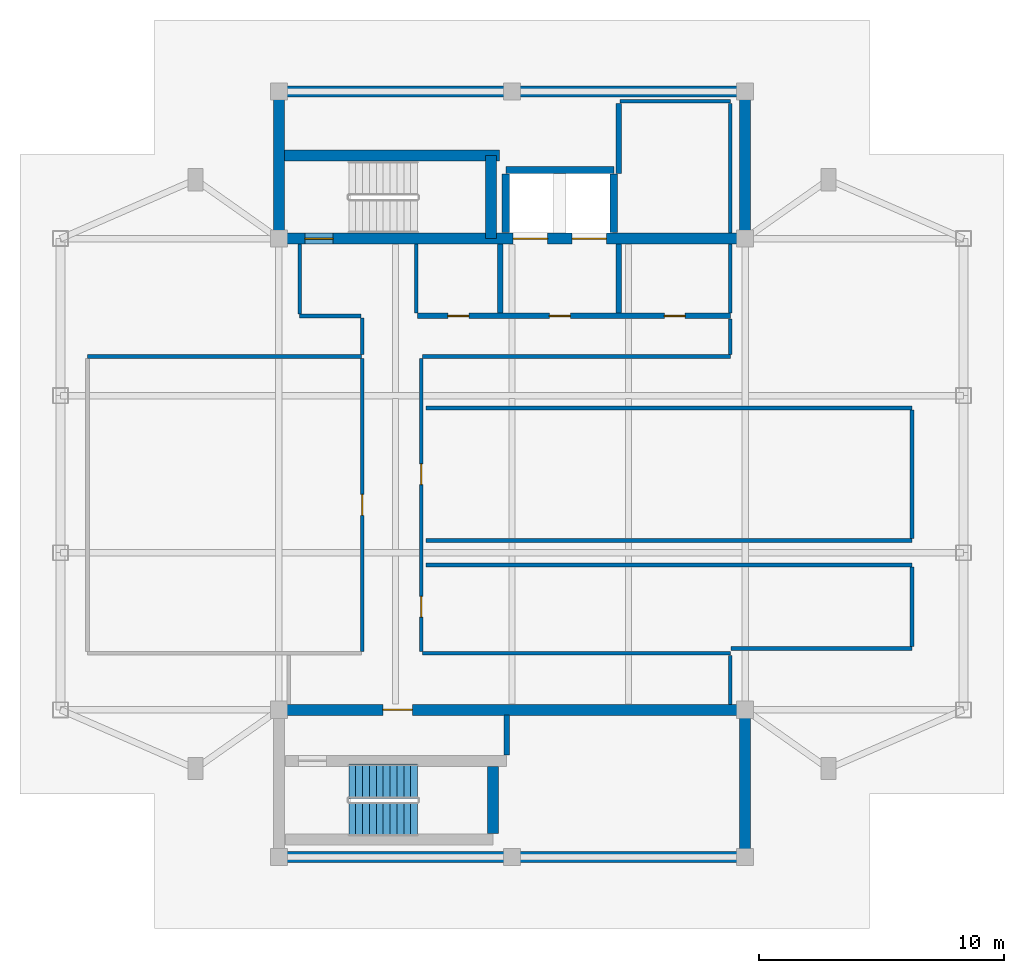
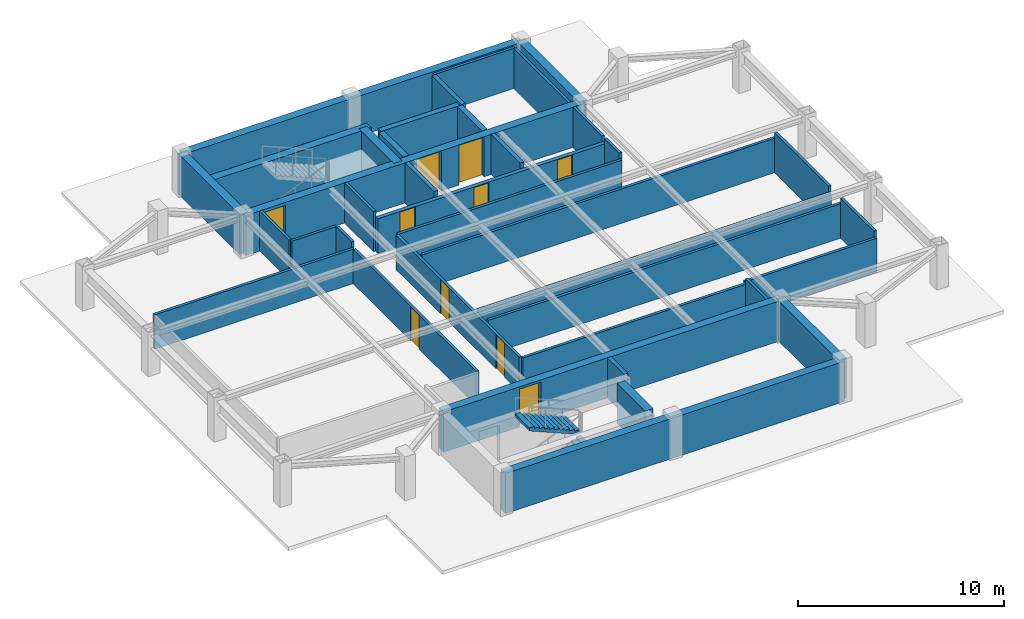
# One storey, part 2 of 4: 38 walls, 10 doors, 2 stair flights, 10 openings, 1 element without a shape of its own.
"""IFC4 building model written with IfcOpenShell, lengths in metres."""

from ifc_helpers import new_model, si_unit, direction, frame, frame_2d, origin, place, context, subcontext, project, spatial, polyline, rectangle, outline, extrude, material, layer, layer_set, type_object, element, fill, aggregate, save


model = new_model("IFC4")

# Units and contexts
model_context = context("Model", 3, precision=1e-05, world=origin(), true_north=direction((0.0, 1.0)))
body_context = subcontext(model_context, "Body", "Model", "MODEL_VIEW")
ifc_project = project(units=[si_unit("LENGTHUNIT", "METRE"), si_unit("AREAUNIT", "SQUARE_METRE"), si_unit("VOLUMEUNIT", "CUBIC_METRE"), si_unit("PLANEANGLEUNIT", "RADIAN"), si_unit("MASSUNIT", "GRAM", prefix="KILO")], contexts=[model_context])

# Site, building, storey
site_placement = place(None, origin())
site = spatial("IfcSite", under=ifc_project, at=site_placement, CompositionType="ELEMENT")
building_placement = place(site_placement, origin())
building = spatial("IfcBuilding", under=site, at=building_placement, Name="Mirazonda Arch Towers", CompositionType="ELEMENT")
storey_placement = place(building_placement, frame((0.0, 0.0, 268.699951171875)))
storey = spatial("IfcBuildingStorey", under=building, at=storey_placement, Name="L77", CompositionType="ELEMENT", Elevation=268.699951171875)

# Walls
ifc_material_1 = material(Name="Concrete C50/60", Category="concrete")
ifc_layer_1 = layer(ifc_material_1, 0.449951171875, Name="WALL-CORE-450")
ifc_layer_set_1 = layer_set([ifc_layer_1], Name="Concrete C50/60")
wall_type_1 = type_object("IfcWallType", Name="WALL-CORE-450", PredefinedType="SHEAR", material=ifc_layer_set_1)
wall_1_placement = place(storey_placement, frame((11.0, 43.60009765625, 0.0), z_axis=(0.0, 0.0, 1.0), x_axis=(1.0, 0.0, 0.0)))
element("IfcWall", 1, at=wall_1_placement, inside=storey, type_object=wall_type_1, Name="L77 T1N-N Core Shear Wall", PredefinedType="SHEAR", context=body_context, shape_type="SweptSolid", body=[
    extrude(rectangle(XDim=19.0, YDim=0.449951171875, at=frame_2d((9.5, 0.0))), origin(), (0.0, 0.0, 1.0), 2.380126953125),
])
for number, where, z_axis, x_axis, name in (
    (2, (11.0, 37.60009765625, 0.0), (0.0, 0.0, 1.0), (0.0, 1.0, 0.0), "L77 T1N-W Core Shear Wall"),
    (3, (30.0, 37.60009765625, 0.0), (0.0, 0.0, 1.0), (0.0, 1.0, 0.0), "L77 T1N-E Core Shear Wall"),
):
    element("IfcWall", number, at=place(storey_placement, frame(where, z_axis=z_axis, x_axis=x_axis)), inside=storey, type_object=wall_type_1, Name=name, PredefinedType="SHEAR", context=body_context, shape_type="SweptSolid", body=[
        extrude(rectangle(XDim=6.0, YDim=0.449951171875, at=frame_2d((3.0, 0.0))), origin(), (0.0, 0.0, 1.0), 2.380126953125),
    ])

# Wall, openings, doors
wall_2_placement = place(storey_placement, frame((11.0, 37.60009765625, 0.0), z_axis=(0.0, 0.0, 1.0), x_axis=(1.0, 0.0, 0.0)))
wall_2 = element("IfcWall", 4, at=wall_2_placement, inside=storey, type_object=wall_type_1, Name="L77 T1N-S Core Shear Wall", PredefinedType="SHEAR", context=body_context, shape_type="SweptSolid", body=[
    extrude(rectangle(XDim=19.0, YDim=0.449951171875, at=frame_2d((9.5, 0.0))), origin(), (0.0, 0.0, 1.0), 2.380126953125),
])
opening_1_placement = place(wall_2_placement, frame((1.06005859375, 0.0, 0.0)))
opening_1 = element("IfcOpeningElement", 5, at=opening_1_placement, cuts=wall_2, Name="Opening DR-135", PredefinedType="OPENING", context=body_context, shape_type="SweptSolid", body=[
    extrude(rectangle(XDim=1.14990234375, YDim=2.199951171875, at=frame_2d((0.574951171875, 1.10009765625))), frame((0.0, 0.23486328125, 0.0), z_axis=(0.0, -1.0, 0.0), x_axis=(1.0, 0.0, 0.0)), (0.0, 0.0, 1.0), 0.469970703125),
])
opening_2_placement = place(wall_2_placement, frame((9.550048828125, 0.0, 0.0)))
opening_2 = element("IfcOpeningElement", 6, at=opening_2_placement, cuts=wall_2, Name="Opening LD-112", PredefinedType="OPENING", context=body_context, shape_type="SweptSolid", body=[
    extrude(rectangle(XDim=1.39990234375, YDim=2.35009765625, at=frame_2d((0.699951171875, 1.175048828125))), frame((0.0, 0.23486328125, 0.0), z_axis=(0.0, -1.0, 0.0), x_axis=(1.0, 0.0, 0.0)), (0.0, 0.0, 1.0), 0.469970703125),
])
opening_3_placement = place(wall_2_placement, frame((11.949951171875, 0.0, 0.0)))
opening_3 = element("IfcOpeningElement", 7, at=opening_3_placement, cuts=wall_2, Name="Opening LD-112", PredefinedType="OPENING", context=body_context, shape_type="SweptSolid", body=[
    extrude(rectangle(XDim=1.39990234375, YDim=2.35009765625, at=frame_2d((0.699951171875, 1.175048828125))), frame((0.0, 0.23486328125, 0.0), z_axis=(0.0, -1.0, 0.0), x_axis=(1.0, 0.0, 0.0)), (0.0, 0.0, 1.0), 0.469970703125),
])
ifc_material_2 = material(Name="Architectural Brushed Steel S355", Category="steel")
door_type_1 = type_object("IfcDoorType", Name="DOOR-LIFT-FFL-1400", OperationType="NOTDEFINED", PredefinedType="DOOR", material=ifc_material_2)
door_1_placement = place(opening_2_placement, origin())
door_1 = element("IfcDoor", 8, at=door_1_placement, inside=storey, type_object=door_type_1, Name="L77 Lift Landing Sliding Door FFL-T1", OperationType="DOUBLE_DOOR_SLIDING", OverallHeight=2.35009765625, OverallWidth=1.39990234375, PredefinedType="DOOR", context=body_context, shape_type="SweptSolid", body=[
    extrude(rectangle(XDim=1.39990234375, YDim=2.35009765625, at=frame_2d((0.699951171875, 1.175048828125))), frame((0.0, 0.02490234375, 0.0), z_axis=(0.0, -1.0, 0.0), x_axis=(1.0, 0.0, 0.0)), (0.0, 0.0, 1.0), 0.050048828125),
])
fill(opening_2, door_1)
door_2_placement = place(opening_3_placement, origin())
door_2 = element("IfcDoor", 9, at=door_2_placement, inside=storey, type_object=door_type_1, Name="L77 Lift Landing Sliding Door SVL-T1", OperationType="DOUBLE_DOOR_SLIDING", OverallHeight=2.35009765625, OverallWidth=1.39990234375, PredefinedType="DOOR", context=body_context, shape_type="SweptSolid", body=[
    extrude(rectangle(XDim=1.39990234375, YDim=2.35009765625, at=frame_2d((0.699951171875, 1.175048828125))), frame((0.0, 0.02490234375, 0.0), z_axis=(0.0, -1.0, 0.0), x_axis=(1.0, 0.0, 0.0)), (0.0, 0.0, 1.0), 0.050048828125),
])
fill(opening_3, door_2)
door_type_2 = type_object("IfcDoorType", Name="DOOR-STAIR-FD90-1150", OperationType="NOTDEFINED", PredefinedType="DOOR", material=ifc_material_2)
door_3_placement = place(opening_1_placement, origin())
door_3 = element("IfcDoor", 10, at=door_3_placement, inside=storey, type_object=door_type_2, Name="L77 Protected Exit Stair North Door", OperationType="SINGLE_SWING_RIGHT", OverallHeight=2.199951171875, OverallWidth=1.14990234375, PredefinedType="DOOR", context=body_context, shape_type="SweptSolid", body=[
    extrude(rectangle(XDim=1.14990234375, YDim=2.199951171875, at=frame_2d((0.574951171875, 1.10009765625))), frame((0.0, 0.02490234375, 0.0), z_axis=(0.0, -1.0, 0.0), x_axis=(1.0, 0.0, 0.0)), (0.0, 0.0, 1.0), 0.050048828125),
])
fill(opening_1, door_3)

# Walls
wall_3_placement = place(storey_placement, frame((11.0, 40.992919921875, 0.0), z_axis=(0.0, 0.0, 1.0), x_axis=(1.0, 0.0, 0.0)))
element("IfcWall", 11, at=wall_3_placement, inside=storey, type_object=wall_type_1, Name="L77 T1N-STN Core Shear Wall", PredefinedType="SHEAR", context=body_context, shape_type="SweptSolid", body=[
    extrude(rectangle(XDim=9.0, YDim=0.449951171875, at=frame_2d((4.5, 0.0))), origin(), (0.0, 0.0, 1.0), 2.380126953125),
])
wall_4_placement = place(storey_placement, frame((19.64990234375, 37.60009765625, 0.0), z_axis=(0.0, 0.0, 1.0), x_axis=(0.0, 1.0, 0.0)))
element("IfcWall", 12, at=wall_4_placement, inside=storey, type_object=wall_type_1, Name="L77 T1N-STE Core Shear Wall", PredefinedType="SHEAR", context=body_context, shape_type="SweptSolid", body=[
    extrude(rectangle(XDim=3.392822265625, YDim=0.449951171875, at=frame_2d((1.6962890625, 0.0))), origin(), (0.0, 0.0, 1.0), 2.380126953125),
])
wall_5_placement = place(storey_placement, frame((11.0, 12.39990234375, 0.0), z_axis=(0.0, 0.0, 1.0), x_axis=(1.0, 0.0, 0.0)))
element("IfcWall", 13, at=wall_5_placement, inside=storey, type_object=wall_type_1, Name="L77 T1S-S Core Shear Wall", PredefinedType="SHEAR", context=body_context, shape_type="SweptSolid", body=[
    extrude(rectangle(XDim=19.0, YDim=0.449951171875, at=frame_2d((9.5, 0.0))), origin(), (0.0, 0.0, 1.0), 2.380126953125),
])
wall_6_placement = place(storey_placement, frame((30.0, 12.39990234375, 0.0), z_axis=(0.0, 0.0, 1.0), x_axis=(0.0, 1.0, 0.0)))
element("IfcWall", 14, at=wall_6_placement, inside=storey, type_object=wall_type_1, Name="L77 T1S-E Core Shear Wall", PredefinedType="SHEAR", context=body_context, shape_type="SweptSolid", body=[
    extrude(rectangle(XDim=6.0, YDim=0.449951171875, at=frame_2d((3.0, 0.0))), origin(), (0.0, 0.0, 1.0), 2.380126953125),
])

# Wall, opening, door
wall_7_placement = place(storey_placement, frame((11.0, 18.39990234375, 0.0), z_axis=(0.0, 0.0, 1.0), x_axis=(1.0, 0.0, 0.0)))
wall_7 = element("IfcWall", 15, at=wall_7_placement, inside=storey, type_object=wall_type_1, Name="L77 T1S-N Core Shear Wall", PredefinedType="SHEAR", context=body_context, shape_type="SweptSolid", body=[
    extrude(rectangle(XDim=19.0, YDim=0.449951171875, at=frame_2d((9.5, 0.0))), origin(), (0.0, 0.0, 1.0), 2.380126953125),
])
opening_4_placement = place(wall_7_placement, frame((4.239990234375, 0.0, 0.0)))
opening_4 = element("IfcOpeningElement", 16, at=opening_4_placement, cuts=wall_7, Name="Opening DR-117", PredefinedType="OPENING", context=body_context, shape_type="SweptSolid", body=[
    extrude(rectangle(XDim=1.199951171875, YDim=2.25, at=frame_2d((0.60009765625, 1.125))), frame((0.0, 0.23486328125, 0.0), z_axis=(0.0, -1.0, 0.0), x_axis=(1.0, 0.0, 0.0)), (0.0, 0.0, 1.0), 0.469970703125),
])
door_type_3 = type_object("IfcDoorType", Name="DOOR-FFL-FD90-1200", OperationType="NOTDEFINED", PredefinedType="DOOR", material=ifc_material_2)
door_4_placement = place(opening_4_placement, origin())
door_4 = element("IfcDoor", 17, at=door_4_placement, inside=storey, type_object=door_type_3, Name="L77 South Core Stair & Lift Lobby Door", OperationType="SINGLE_SWING_RIGHT", OverallHeight=2.25, OverallWidth=1.199951171875, PredefinedType="DOOR", context=body_context, shape_type="SweptSolid", body=[
    extrude(rectangle(XDim=1.199951171875, YDim=2.25, at=frame_2d((0.60009765625, 1.125))), frame((0.0, 0.02490234375, 0.0), z_axis=(0.0, -1.0, 0.0), x_axis=(1.0, 0.0, 0.0)), (0.0, 0.0, 1.0), 0.050048828125),
])
fill(opening_4, door_4)

# Wall
wall_8_placement = place(storey_placement, frame((19.72998046875, 13.35498046875, 0.0), z_axis=(0.0, 0.0, 1.0), x_axis=(0.0, 1.0, 0.0)))
element("IfcWall", 18, at=wall_8_placement, inside=storey, type_object=wall_type_1, Name="L77 Stair Core Shear Wall 022", PredefinedType="SHEAR", context=body_context, shape_type="SweptSolid", body=[
    extrude(rectangle(XDim=2.72998046875, YDim=0.449951171875, at=frame_2d((1.364990234375, 0.0))), origin(), (0.0, 0.0, 1.0), 2.380126953125),
])

# Wall, openings, doors
ifc_material_3 = material(Name="Concrete C40/50", Category="concrete")
ifc_layer_2 = layer(ifc_material_3, 0.219970703125, Name="WALL-FFL-220")
ifc_layer_set_2 = layer_set([ifc_layer_2], Name="Concrete C40/50")
wall_type_2 = type_object("IfcWallType", Name="WALL-FFL-220", PredefinedType="SOLIDWALL", material=ifc_layer_set_2)
wall_9_placement = place(storey_placement, frame((16.639892578125, 34.449951171875, 0.0), z_axis=(0.0, 0.0, 1.0), x_axis=(1.0, 0.0, 0.0)))
wall_9 = element("IfcWall", 19, at=wall_9_placement, inside=storey, type_object=wall_type_2, Name="L77 Interior Partition 012", PredefinedType="SOLIDWALL", context=body_context, shape_type="SweptSolid", body=[
    extrude(rectangle(XDim=12.760009765625, YDim=0.219970703125, at=frame_2d((6.3798828125, 0.0))), origin(), (0.0, 0.0, 1.0), 2.0419921875),
])
opening_5_placement = place(wall_9_placement, frame((5.385009765625, 0.0, 0.0)))
opening_5 = element("IfcOpeningElement", 20, at=opening_5_placement, cuts=wall_9, Name="Opening DR-128", PredefinedType="OPENING", context=body_context, shape_type="SweptSolid", body=[
    extrude(rectangle(XDim=0.85009765625, YDim=2.010009765625, at=frame_2d((0.425048828125, 1.0048828125))), frame((0.0, 0.119873046875, 0.0), z_axis=(0.0, -1.0, 0.0), x_axis=(1.0, 0.0, 0.0)), (0.0, 0.0, 1.0), 0.239990234375),
])
opening_6_placement = place(wall_9_placement, frame((10.06494140625, 0.0, 0.0)))
opening_6 = element("IfcOpeningElement", 21, at=opening_6_placement, cuts=wall_9, Name="Opening DR-128", PredefinedType="OPENING", context=body_context, shape_type="SweptSolid", body=[
    extrude(rectangle(XDim=0.85009765625, YDim=2.010009765625, at=frame_2d((0.425048828125, 1.0048828125))), frame((0.0, 0.119873046875, 0.0), z_axis=(0.0, -1.0, 0.0), x_axis=(1.0, 0.0, 0.0)), (0.0, 0.0, 1.0), 0.239990234375),
])
opening_7_placement = place(wall_9_placement, frame((1.25, 0.0, 0.0)))
opening_7 = element("IfcOpeningElement", 22, at=opening_7_placement, cuts=wall_9, Name="Opening DR-128", PredefinedType="OPENING", context=body_context, shape_type="SweptSolid", body=[
    extrude(rectangle(XDim=0.85009765625, YDim=2.010009765625, at=frame_2d((0.425048828125, 1.0048828125))), frame((0.0, 0.119873046875, 0.0), z_axis=(0.0, -1.0, 0.0), x_axis=(1.0, 0.0, 0.0)), (0.0, 0.0, 1.0), 0.239990234375),
])
door_type_4 = type_object("IfcDoorType", Name="DOOR-RISER-FD60-850", OperationType="NOTDEFINED", PredefinedType="DOOR", material=ifc_material_2)
door_5_placement = place(opening_5_placement, origin())
door_5 = element("IfcDoor", 23, at=door_5_placement, inside=storey, type_object=door_type_4, Name="L77 Firefighting Lift Lobby Door", OperationType="SINGLE_SWING_LEFT", OverallHeight=2.010009765625, OverallWidth=0.85009765625, PredefinedType="DOOR", context=body_context, shape_type="SweptSolid", body=[
    extrude(rectangle(XDim=0.85009765625, YDim=2.010009765625, at=frame_2d((0.425048828125, 1.0048828125))), frame((0.0, 0.02490234375, 0.0), z_axis=(0.0, -1.0, 0.0), x_axis=(1.0, 0.0, 0.0)), (0.0, 0.0, 1.0), 0.050048828125),
])
fill(opening_5, door_5)
door_6_placement = place(opening_6_placement, origin())
door_6 = element("IfcDoor", 24, at=door_6_placement, inside=storey, type_object=door_type_4, Name="L77 Mechanical Exhaust & Riser Plant Room Door", OperationType="SINGLE_SWING_RIGHT", OverallHeight=2.010009765625, OverallWidth=0.85009765625, PredefinedType="DOOR", context=body_context, shape_type="SweptSolid", body=[
    extrude(rectangle(XDim=0.85009765625, YDim=2.010009765625, at=frame_2d((0.425048828125, 1.0048828125))), frame((0.0, 0.02490234375, 0.0), z_axis=(0.0, -1.0, 0.0), x_axis=(1.0, 0.0, 0.0)), (0.0, 0.0, 1.0), 0.050048828125),
])
fill(opening_6, door_6)
door_7_placement = place(opening_7_placement, origin())
door_7 = element("IfcDoor", 25, at=door_7_placement, inside=storey, type_object=door_type_4, Name="L77 Electrical & Housekeeping Service Room Door", OperationType="SINGLE_SWING_LEFT", OverallHeight=2.010009765625, OverallWidth=0.85009765625, PredefinedType="DOOR", context=body_context, shape_type="SweptSolid", body=[
    extrude(rectangle(XDim=0.85009765625, YDim=2.010009765625, at=frame_2d((0.425048828125, 1.0048828125))), frame((0.0, 0.02490234375, 0.0), z_axis=(0.0, -1.0, 0.0), x_axis=(1.0, 0.0, 0.0)), (0.0, 0.0, 1.0), 0.050048828125),
])
fill(opening_7, door_7)

# Walls
wall_10_placement = place(storey_placement, frame((20.02490234375, 34.570068359375, 0.0), z_axis=(0.0, 0.0, 1.0), x_axis=(0.0, 1.0, 0.0)))
element("IfcWall", 26, at=wall_10_placement, inside=storey, type_object=wall_type_2, Name="L77 Interior Partition 023", PredefinedType="SOLIDWALL", context=body_context, shape_type="SweptSolid", body=[
    extrude(rectangle(XDim=2.809814453125, YDim=0.219970703125, at=frame_2d((1.40478515625, 0.0))), origin(), (0.0, 0.0, 1.0), 2.380126953125),
])
wall_11_placement = place(storey_placement, frame((20.280029296875, 16.554931640625, 0.0), z_axis=(0.0, 0.0, 1.0), x_axis=(0.0, 1.0, 0.0)))
element("IfcWall", 27, at=wall_11_placement, inside=storey, type_object=wall_type_2, Name="L77 Interior Partition 024", PredefinedType="SOLIDWALL", context=body_context, shape_type="SweptSolid", body=[
    extrude(rectangle(XDim=1.625, YDim=0.219970703125, at=frame_2d((0.8125, 0.0))), origin(), (0.0, 0.0, 1.0), 2.380126953125),
])
wall_12_placement = place(storey_placement, frame((24.85009765625, 34.570068359375, 0.0), z_axis=(0.0, 0.0, 1.0), x_axis=(0.0, 1.0, 0.0)))
element("IfcWall", 28, at=wall_12_placement, inside=storey, type_object=wall_type_2, Name="L77 Interior Partition 027", PredefinedType="SOLIDWALL", context=body_context, shape_type="SweptSolid", body=[
    extrude(rectangle(XDim=2.809814453125, YDim=0.219970703125, at=frame_2d((1.40478515625, 0.0))), origin(), (0.0, 0.0, 1.0), 2.380126953125),
])
wall_13_placement = place(storey_placement, frame((24.85009765625, 40.260009765625, 0.0), z_axis=(0.0, 0.0, 1.0), x_axis=(0.0, 1.0, 0.0)))
element("IfcWall", 29, at=wall_13_placement, inside=storey, type_object=wall_type_2, Name="L77 Interior Partition 028", PredefinedType="SOLIDWALL", context=body_context, shape_type="SweptSolid", body=[
    extrude(rectangle(XDim=2.85498046875, YDim=0.219970703125, at=frame_2d((1.427490234375, 0.0))), origin(), (0.0, 0.0, 1.0), 2.380126953125),
])
ifc_material_4 = material(Name="Fire-Rated Gypsum Stud Partition")
ifc_layer_3 = layer(ifc_material_4, 0.14990234375, Name="WALL-PART-CORR-150")
ifc_layer_set_3 = layer_set([ifc_layer_3], Name="Fire-Rated Gypsum Stud Partition")
wall_type_3 = type_object("IfcWallType", Name="WALL-PART-CORR-150", PredefinedType="PARTITIONING", material=ifc_layer_set_3)
wall_14_placement = place(storey_placement, frame((16.85009765625, 20.699951171875, 0.0), z_axis=(0.0, 0.0, 1.0), x_axis=(1.0, 0.0, 0.0)))
element("IfcWall", 30, at=wall_14_placement, inside=storey, type_object=wall_type_3, Name="L77 Interior Partition 004", PredefinedType="PARTITIONING", context=body_context, shape_type="SweptSolid", body=[
    extrude(rectangle(XDim=12.5498046875, YDim=0.14990234375, at=frame_2d((6.27490234375, 0.0))), origin(), (0.0, 0.0, 1.0), 2.0419921875),
])
wall_15_placement = place(storey_placement, frame((29.419921875, 20.89990234375, 0.0), z_axis=(0.0, 0.0, 1.0), x_axis=(1.0, 0.0, 0.0)))
element("IfcWall", 31, at=wall_15_placement, inside=storey, type_object=wall_type_3, Name="L77 Interior Partition 005", PredefinedType="PARTITIONING", context=body_context, shape_type="SweptSolid", body=[
    extrude(rectangle(XDim=7.380126953125, YDim=0.14990234375, at=frame_2d((3.68994140625, 0.0))), origin(), (0.0, 0.0, 1.0), 2.0419921875),
])
for number, where, z_axis, x_axis, name in (
    (32, (17.0, 24.300048828125, 0.0), (0.0, 0.0, 1.0), (1.0, 0.0, 0.0), "L77 Interior Partition 006"),
    (33, (17.0, 25.300048828125, 0.0), (0.0, 0.0, 1.0), (1.0, 0.0, 0.0), "L77 Interior Partition 007"),
    (34, (17.0, 30.699951171875, 0.0), (0.0, 0.0, 1.0), (1.0, 0.0, 0.0), "L77 Interior Partition 008"),
):
    element("IfcWall", number, at=place(storey_placement, frame(where, z_axis=z_axis, x_axis=x_axis)), inside=storey, type_object=wall_type_3, Name=name, PredefinedType="PARTITIONING", context=body_context, shape_type="SweptSolid", body=[
        extrude(rectangle(XDim=19.800048828125, YDim=0.14990234375, at=frame_2d((9.89990234375, 0.0))), origin(), (0.0, 0.0, 1.0), 2.0419921875),
    ])
wall_16_placement = place(storey_placement, frame((3.199951171875, 32.800048828125, 0.0), z_axis=(0.0, 0.0, 1.0), x_axis=(1.0, 0.0, 0.0)))
element("IfcWall", 35, at=wall_16_placement, inside=storey, type_object=wall_type_3, Name="L77 Interior Partition 009", PredefinedType="PARTITIONING", context=body_context, shape_type="SweptSolid", body=[
    extrude(rectangle(XDim=11.16015625, YDim=0.14990234375, at=frame_2d((5.580078125, 0.0))), origin(), (0.0, 0.0, 1.0), 2.0419921875),
])
wall_17_placement = place(storey_placement, frame((16.85009765625, 32.800048828125, 0.0), z_axis=(0.0, 0.0, 1.0), x_axis=(1.0, 0.0, 0.0)))
element("IfcWall", 36, at=wall_17_placement, inside=storey, type_object=wall_type_3, Name="L77 Interior Partition 010", PredefinedType="PARTITIONING", context=body_context, shape_type="SweptSolid", body=[
    extrude(rectangle(XDim=12.5498046875, YDim=0.14990234375, at=frame_2d((6.27490234375, 0.0))), origin(), (0.0, 0.0, 1.0), 2.0419921875),
])
wall_18_placement = place(storey_placement, frame((11.85009765625, 34.449951171875, 0.0), z_axis=(0.0, 0.0, 1.0), x_axis=(1.0, 0.0, 0.0)))
element("IfcWall", 37, at=wall_18_placement, inside=storey, type_object=wall_type_3, Name="L77 Interior Partition 011", PredefinedType="PARTITIONING", context=body_context, shape_type="SweptSolid", body=[
    extrude(rectangle(XDim=2.5, YDim=0.14990234375, at=frame_2d((1.25, 0.0))), origin(), (0.0, 0.0, 1.0), 2.380126953125),
])
wall_19_placement = place(storey_placement, frame((24.89990234375, 43.199951171875, 0.0), z_axis=(0.0, 0.0, 1.0), x_axis=(1.0, 0.0, 0.0)))
element("IfcWall", 38, at=wall_19_placement, inside=storey, type_object=wall_type_3, Name="L77 Interior Partition 014", PredefinedType="PARTITIONING", context=body_context, shape_type="SweptSolid", body=[
    extrude(rectangle(XDim=4.5, YDim=0.14990234375, at=frame_2d((2.25, 0.0))), origin(), (0.0, 0.0, 1.0), 2.380126953125),
])
wall_20_placement = place(storey_placement, frame((11.85009765625, 34.534912109375, 0.0), z_axis=(0.0, 0.0, 1.0), x_axis=(0.0, 1.0, 0.0)))
element("IfcWall", 39, at=wall_20_placement, inside=storey, type_object=wall_type_3, Name="L77 Interior Partition 017", PredefinedType="PARTITIONING", context=body_context, shape_type="SweptSolid", body=[
    extrude(rectangle(XDim=2.844970703125, YDim=0.14990234375, at=frame_2d((1.42236328125, 0.0))), origin(), (0.0, 0.0, 1.0), 2.380126953125),
])

# Wall, opening, door
wall_21_placement = place(storey_placement, frame((14.39990234375, 20.784912109375, 0.0), z_axis=(0.0, 0.0, 1.0), x_axis=(0.0, 1.0, 0.0)))
wall_21 = element("IfcWall", 40, at=wall_21_placement, inside=storey, type_object=wall_type_3, Name="L77 Interior Partition 018", PredefinedType="PARTITIONING", context=body_context, shape_type="SweptSolid", body=[
    extrude(rectangle(XDim=11.93017578125, YDim=0.14990234375, at=frame_2d((5.965087890625, 0.0))), origin(), (0.0, 0.0, 1.0), 2.0419921875),
])
opening_8_placement = place(wall_21_placement, frame((5.5400390625, 0.0, 0.0)))
opening_8 = element("IfcOpeningElement", 41, at=opening_8_placement, cuts=wall_21, Name="Opening DR-128", PredefinedType="OPENING", context=body_context, shape_type="SweptSolid", body=[
    extrude(rectangle(XDim=0.85009765625, YDim=2.010009765625, at=frame_2d((0.425048828125, 1.0048828125))), frame((0.0, 0.0849609375, 0.0), z_axis=(0.0, -1.0, 0.0), x_axis=(1.0, 0.0, 0.0)), (0.0, 0.0, 1.0), 0.169921875),
])
door_8_placement = place(opening_8_placement, origin())
door_8 = element("IfcDoor", 42, at=door_8_placement, inside=storey, type_object=door_type_4, Name="L77 L77 West Crown Mechanical Plant Plenum Door", OperationType="SINGLE_SWING_RIGHT", OverallHeight=2.010009765625, OverallWidth=0.85009765625, PredefinedType="DOOR", context=body_context, shape_type="SweptSolid", body=[
    extrude(rectangle(XDim=0.85009765625, YDim=2.010009765625, at=frame_2d((0.425048828125, 1.0048828125))), frame((0.0, 0.02490234375, 0.0), z_axis=(0.0, -1.0, 0.0), x_axis=(1.0, 0.0, 0.0)), (0.0, 0.0, 1.0), 0.050048828125),
])
fill(opening_8, door_8)

# Walls
wall_22_placement = place(storey_placement, frame((14.39990234375, 32.885009765625, 0.0), z_axis=(0.0, 0.0, 1.0), x_axis=(0.0, 1.0, 0.0)))
element("IfcWall", 43, at=wall_22_placement, inside=storey, type_object=wall_type_3, Name="L77 Interior Partition 019", PredefinedType="PARTITIONING", context=body_context, shape_type="SweptSolid", body=[
    extrude(rectangle(XDim=1.47998046875, YDim=0.14990234375, at=frame_2d((0.739990234375, 0.0))), origin(), (0.0, 0.0, 1.0), 2.380126953125),
])
wall_23_placement = place(storey_placement, frame((16.60009765625, 34.570068359375, 0.0), z_axis=(0.0, 0.0, 1.0), x_axis=(0.0, 1.0, 0.0)))
element("IfcWall", 44, at=wall_23_placement, inside=storey, type_object=wall_type_3, Name="L77 Interior Partition 020", PredefinedType="PARTITIONING", context=body_context, shape_type="SweptSolid", body=[
    extrude(rectangle(XDim=2.809814453125, YDim=0.14990234375, at=frame_2d((1.40478515625, 0.0))), origin(), (0.0, 0.0, 1.0), 2.380126953125),
])

# Wall, openings, doors
wall_24_placement = place(storey_placement, frame((16.800048828125, 20.784912109375, 0.0), z_axis=(0.0, 0.0, 1.0), x_axis=(0.0, 1.0, 0.0)))
wall_24 = element("IfcWall", 45, at=wall_24_placement, inside=storey, type_object=wall_type_3, Name="L77 Interior Partition 021", PredefinedType="PARTITIONING", context=body_context, shape_type="SweptSolid", body=[
    extrude(rectangle(XDim=11.93017578125, YDim=0.14990234375, at=frame_2d((5.965087890625, 0.0))), origin(), (0.0, 0.0, 1.0), 2.0419921875),
])
opening_9_placement = place(wall_24_placement, frame((6.7900390625, 0.0, 0.0)))
opening_9 = element("IfcOpeningElement", 46, at=opening_9_placement, cuts=wall_24, Name="Opening DR-128", PredefinedType="OPENING", context=body_context, shape_type="SweptSolid", body=[
    extrude(rectangle(XDim=0.85009765625, YDim=2.010009765625, at=frame_2d((0.425048828125, 1.0048828125))), frame((0.0, 0.0849609375, 0.0), z_axis=(0.0, -1.0, 0.0), x_axis=(1.0, 0.0, 0.0)), (0.0, 0.0, 1.0), 0.169921875),
])
opening_10_placement = place(wall_24_placement, frame((1.389892578125, 0.0, 0.0)))
opening_10 = element("IfcOpeningElement", 47, at=opening_10_placement, cuts=wall_24, Name="Opening DR-128", PredefinedType="OPENING", context=body_context, shape_type="SweptSolid", body=[
    extrude(rectangle(XDim=0.85009765625, YDim=2.010009765625, at=frame_2d((0.425048828125, 1.0048828125))), frame((0.0, 0.0849609375, 0.0), z_axis=(0.0, -1.0, 0.0), x_axis=(1.0, 0.0, 0.0)), (0.0, 0.0, 1.0), 0.169921875),
])
door_9_placement = place(opening_9_placement, origin())
door_9 = element("IfcDoor", 48, at=door_9_placement, inside=storey, type_object=door_type_4, Name="L77 L77 High-Zone Chilled Water Booster Plant Door", OperationType="SINGLE_SWING_RIGHT", OverallHeight=2.010009765625, OverallWidth=0.85009765625, PredefinedType="DOOR", context=body_context, shape_type="SweptSolid", body=[
    extrude(rectangle(XDim=0.85009765625, YDim=2.010009765625, at=frame_2d((0.425048828125, 1.0048828125))), frame((0.0, 0.02490234375, 0.0), z_axis=(0.0, -1.0, 0.0), x_axis=(1.0, 0.0, 0.0)), (0.0, 0.0, 1.0), 0.050048828125),
])
fill(opening_9, door_9)
door_10_placement = place(opening_10_placement, origin())
door_10 = element("IfcDoor", 49, at=door_10_placement, inside=storey, type_object=door_type_4, Name="L77 L77 Domestic Hot-Water Heat-Pump Plant Hall Door", OperationType="SINGLE_SWING_LEFT", OverallHeight=2.010009765625, OverallWidth=0.85009765625, PredefinedType="DOOR", context=body_context, shape_type="SweptSolid", body=[
    extrude(rectangle(XDim=0.85009765625, YDim=2.010009765625, at=frame_2d((0.425048828125, 1.0048828125))), frame((0.0, 0.02490234375, 0.0), z_axis=(0.0, -1.0, 0.0), x_axis=(1.0, 0.0, 0.0)), (0.0, 0.0, 1.0), 0.050048828125),
])
fill(opening_10, door_10)

# Walls
wall_25_placement = place(storey_placement, frame((29.39990234375, 18.6201171875, 0.0), z_axis=(0.0, 0.0, 1.0), x_axis=(0.0, 1.0, 0.0)))
element("IfcWall", 50, at=wall_25_placement, inside=storey, type_object=wall_type_3, Name="L77 Interior Partition 029", PredefinedType="PARTITIONING", context=body_context, shape_type="SweptSolid", body=[
    extrude(rectangle(XDim=1.994873046875, YDim=0.14990234375, at=frame_2d((0.99755859375, 0.0))), origin(), (0.0, 0.0, 1.0), 2.380126953125),
])
wall_26_placement = place(storey_placement, frame((29.39990234375, 32.885009765625, 0.0), z_axis=(0.0, 0.0, 1.0), x_axis=(0.0, 1.0, 0.0)))
element("IfcWall", 51, at=wall_26_placement, inside=storey, type_object=wall_type_3, Name="L77 Interior Partition 030", PredefinedType="PARTITIONING", context=body_context, shape_type="SweptSolid", body=[
    extrude(rectangle(XDim=1.445068359375, YDim=0.14990234375, at=frame_2d((0.72265625, 0.0))), origin(), (0.0, 0.0, 1.0), 2.380126953125),
])
wall_27_placement = place(storey_placement, frame((29.39990234375, 34.570068359375, 0.0), z_axis=(0.0, 0.0, 1.0), x_axis=(0.0, 1.0, 0.0)))
element("IfcWall", 52, at=wall_27_placement, inside=storey, type_object=wall_type_3, Name="L77 Interior Partition 031", PredefinedType="PARTITIONING", context=body_context, shape_type="SweptSolid", body=[
    extrude(rectangle(XDim=2.809814453125, YDim=0.14990234375, at=frame_2d((1.40478515625, 0.0))), origin(), (0.0, 0.0, 1.0), 2.380126953125),
])
wall_28_placement = place(storey_placement, frame((29.39990234375, 37.820068359375, 0.0), z_axis=(0.0, 0.0, 1.0), x_axis=(0.0, 1.0, 0.0)))
element("IfcWall", 53, at=wall_28_placement, inside=storey, type_object=wall_type_3, Name="L77 Interior Partition 032", PredefinedType="PARTITIONING", context=body_context, shape_type="SweptSolid", body=[
    extrude(rectangle(XDim=5.294921875, YDim=0.14990234375, at=frame_2d((2.6474609375, 0.0))), origin(), (0.0, 0.0, 1.0), 2.380126953125),
])
wall_29_placement = place(storey_placement, frame((36.800048828125, 20.985107421875, 0.0), z_axis=(0.0, 0.0, 1.0), x_axis=(0.0, 1.0, 0.0)))
element("IfcWall", 54, at=wall_29_placement, inside=storey, type_object=wall_type_3, Name="L77 Interior Partition 033", PredefinedType="PARTITIONING", context=body_context, shape_type="SweptSolid", body=[
    extrude(rectangle(XDim=3.22998046875, YDim=0.14990234375, at=frame_2d((1.614990234375, 0.0))), origin(), (0.0, 0.0, 1.0), 2.380126953125),
])
wall_30_placement = place(storey_placement, frame((36.800048828125, 25.385009765625, 0.0), z_axis=(0.0, 0.0, 1.0), x_axis=(0.0, 1.0, 0.0)))
element("IfcWall", 55, at=wall_30_placement, inside=storey, type_object=wall_type_3, Name="L77 Interior Partition 034", PredefinedType="PARTITIONING", context=body_context, shape_type="SweptSolid", body=[
    extrude(rectangle(XDim=5.22998046875, YDim=0.14990234375, at=frame_2d((2.614990234375, 0.0))), origin(), (0.0, 0.0, 1.0), 2.380126953125),
])
ifc_layer_4 = layer(ifc_material_1, 0.300048828125, Name="WALL-SHAFT-300")
ifc_layer_set_4 = layer_set([ifc_layer_4], Name="Concrete C50/60")
wall_type_4 = type_object("IfcWallType", Name="WALL-SHAFT-300", PredefinedType="SOLIDWALL", material=ifc_layer_set_4)
wall_31_placement = place(storey_placement, frame((20.25, 40.39990234375, 0.0), z_axis=(0.0, 0.0, 1.0), x_axis=(1.0, 0.0, 0.0)))
element("IfcWall", 56, at=wall_31_placement, inside=storey, type_object=wall_type_4, Name="L77 Interior Partition 013", PredefinedType="SOLIDWALL", context=body_context, shape_type="SweptSolid", body=[
    extrude(rectangle(XDim=4.39990234375, YDim=0.300048828125, at=frame_2d((2.199951171875, 0.0))), origin(), (0.0, 0.0, 1.0), 2.380126953125),
])
for number, where, z_axis, x_axis, name in (
    (57, (20.25, 37.85009765625, 0.0), (0.0, 0.0, 1.0), (0.0, 1.0, 0.0), "L77 Interior Partition 025"),
    (58, (24.64990234375, 37.85009765625, 0.0), (0.0, 0.0, 1.0), (0.0, 1.0, 0.0), "L77 Interior Partition 026"),
):
    element("IfcWall", number, at=place(storey_placement, frame(where, z_axis=z_axis, x_axis=x_axis)), inside=storey, type_object=wall_type_4, Name=name, PredefinedType="SOLIDWALL", context=body_context, shape_type="SweptSolid", body=[
        extrude(rectangle(XDim=2.389892578125, YDim=0.300048828125, at=frame_2d((1.19482421875, 0.0))), origin(), (0.0, 0.0, 1.0), 2.380126953125),
    ])

# Stair, stair flights
stair_type = type_object("IfcStairType", Name="STAIR-CORE-1400", PredefinedType="HALF_TURN_STAIR", material=ifc_material_3)
stair_placement = place(storey_placement, origin())
stair = element("IfcStair", 59, at=stair_placement, inside=storey, type_object=stair_type, Name="L77 Protected Exit Stair ST-T1S", PredefinedType="HALF_TURN_STAIR")
stair_flight_type = type_object("IfcStairFlightType", Name="FLIGHT-1400", PredefinedType="STRAIGHT", material=ifc_material_3)
stair_flight_1_placement = place(storey_placement, frame((13.85009765625, 13.949951171875, 0.0), z_axis=(0.0, 0.0, 1.0), x_axis=(1.0, 0.0, 0.0)))
stair_flight_1 = element("IfcStairFlight", 60, at=stair_flight_1_placement, type_object=stair_flight_type, Name="ST-T1S flight 1", NumberOfRisers=11, NumberOfTreads=10, PredefinedType="STRAIGHT", RiserHeight=0.118181818, TreadLength=0.28, context=body_context, shape_type="SweptSolid", body=[
    extrude(outline(polyline([(0.0, 0.0), (0.0, 0.1181640625), (0.280029296875, 0.1181640625), (0.280029296875, 0.236328125), (0.56005859375, 0.236328125), (0.56005859375, 0.3544921875), (0.840087890625, 0.3544921875), (0.840087890625, 0.47265625), (1.1201171875, 0.47265625), (1.1201171875, 0.5908203125), (1.39990234375, 0.5908203125), (1.39990234375, 0.708984375), (1.679931640625, 0.708984375), (1.679931640625, 0.827392578125), (1.9599609375, 0.827392578125), (1.9599609375, 0.945556640625), (2.239990234375, 0.945556640625), (2.239990234375, 1.063720703125), (2.52001953125, 1.063720703125), (2.52001953125, 1.181884765625), (2.800048828125, 1.181884765625), (2.800048828125, 1.300048828125), (2.800048828125, 1.00830078125), (0.4111328125, 0.0), (0.0, 0.0)])), frame((0.0, 0.699951171875, 0.0), z_axis=(0.0, -1.0, 0.0), x_axis=(1.0, 0.0, 0.0)), (0.0, 0.0, 1.0), 1.39990234375),
])
stair_flight_2_placement = place(storey_placement, frame((16.64990234375, 15.489990234375, 1.300048828125), z_axis=(0.0, 0.0, 1.0), x_axis=(-1.0, 0.0, 0.0)))
stair_flight_2 = element("IfcStairFlight", 61, at=stair_flight_2_placement, type_object=stair_flight_type, Name="ST-T1S flight 2", NumberOfRisers=11, NumberOfTreads=10, PredefinedType="STRAIGHT", RiserHeight=0.118181818, TreadLength=0.28, context=body_context, shape_type="SweptSolid", body=[
    extrude(outline(polyline([(0.0, 0.0), (0.0, 0.1181640625), (0.280029296875, 0.1181640625), (0.280029296875, 0.236328125), (0.56005859375, 0.236328125), (0.56005859375, 0.3544921875), (0.840087890625, 0.3544921875), (0.840087890625, 0.47265625), (1.1201171875, 0.47265625), (1.1201171875, 0.5908203125), (1.39990234375, 0.5908203125), (1.39990234375, 0.708984375), (1.679931640625, 0.708984375), (1.679931640625, 0.827392578125), (1.9599609375, 0.827392578125), (1.9599609375, 0.945556640625), (2.239990234375, 0.945556640625), (2.239990234375, 1.063720703125), (2.52001953125, 1.063720703125), (2.52001953125, 1.181884765625), (2.800048828125, 1.181884765625), (2.800048828125, 1.300048828125), (2.800048828125, 1.00830078125), (0.4111328125, 0.0), (0.0, 0.0)])), frame((0.0, 0.699951171875, 0.0), z_axis=(0.0, -1.0, 0.0), x_axis=(1.0, 0.0, 0.0)), (0.0, 0.0, 1.0), 1.39990234375),
])
aggregate(stair, [stair_flight_1, stair_flight_2])

save(model, "model.ifc")
